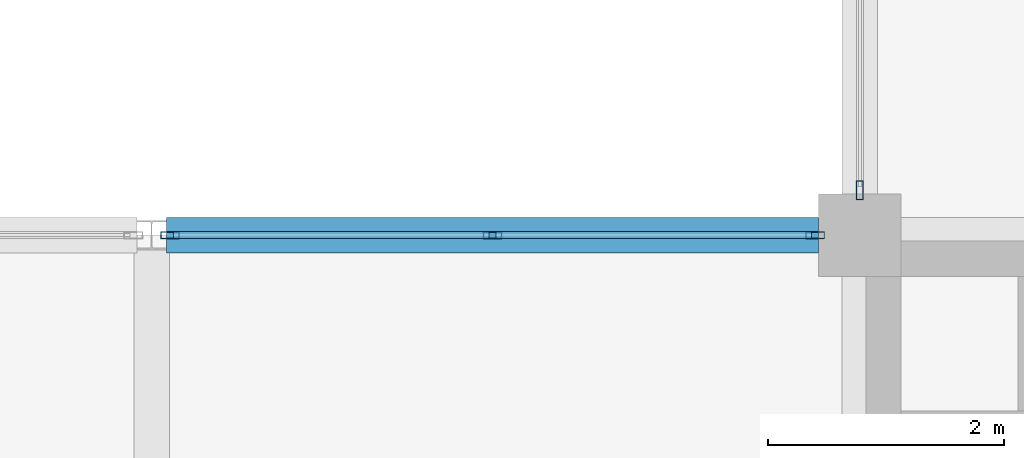
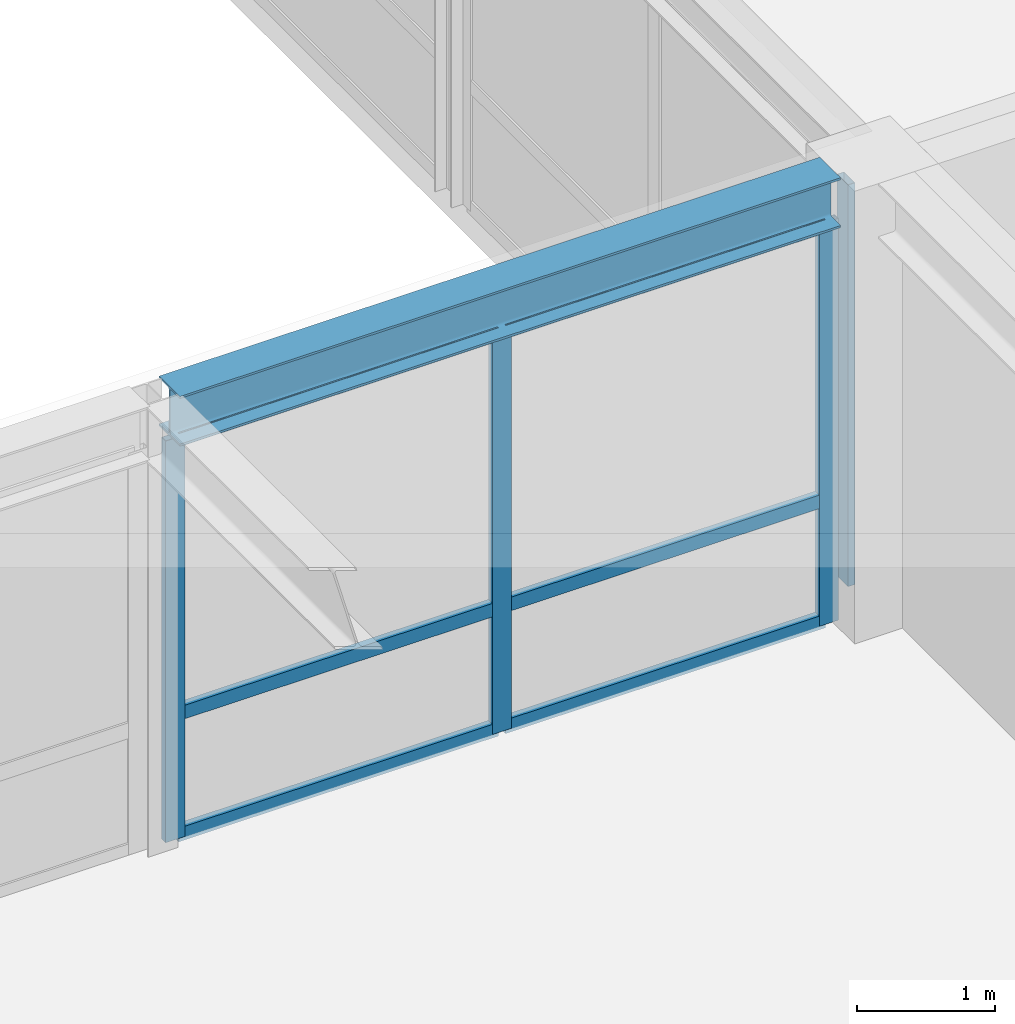
# One storey, part 85 of 111: 10 members, 1 beam, 2 elements without a shape of their own.
"""IFC4 building model written with IfcOpenShell, lengths in metres."""

import ifcopenshell
import ifcopenshell.guid

model = None  # the IFC model being written
_history = None  # IfcOwnerHistory: only IFC2X3 demands one
_inside = {}  # id of a spatial element -> (the spatial element, [elements in it])
_under = {}  # id of a project, library or spatial element -> (it, [spatial elements below it])
_declared = {}  # id of a project -> (the project, [libraries it declares])
_typed = {}  # id of a type object -> (the type object, [elements of that type])
_made_of = {}  # id of a material, layer set ... -> (it, [elements and type objects made of it])


def new_model(schema):
    """Start an empty IFC model of exactly this schema.

    Asked for "IFC4X3", IfcOpenShell would pick the latest addendum, in which some entities
    have other attributes; the version numbers below select the first issue.
    IFC2X3 requires an IfcOwnerHistory on every rooted entity: one is made here for all.
    """
    global model, _history
    if schema == "IFC4X3":
        model = ifcopenshell.file(schema_version=(4, 3, 0, 0))
    else:
        model = ifcopenshell.file(schema=schema)
    _inside.clear()
    _under.clear()
    _declared.clear()
    _typed.clear()
    _made_of.clear()
    _history = None
    if model.schema == "IFC2X3":
        org = make("IfcOrganization", Name="unknown")
        user = make(
            "IfcPersonAndOrganization",
            ThePerson=make("IfcPerson", FamilyName="unknown"),
            TheOrganization=org,
        )
        app = make(
            "IfcApplication",
            ApplicationDeveloper=org,
            Version="unknown",
            ApplicationFullName="unknown",
            ApplicationIdentifier="unknown",
        )
        _history = make(
            "IfcOwnerHistory",
            OwningUser=user,
            OwningApplication=app,
            ChangeAction="ADDED",
            CreationDate=0,
        )
    return model


def make(cls, **values):
    """One entity of the class cls with the attributes given. An attribute that is None is left unset."""
    return model.create_entity(
        cls, **{name: value for name, value in values.items() if value is not None}
    )


def rooted(cls, **values):
    """An entity with a GlobalId (a new one), such as an element, a storey or a relation."""
    return make(cls, GlobalId=ifcopenshell.guid.new(), OwnerHistory=_history, **values)


def si_unit(unit_type, name, prefix=None):
    """IfcSIUnit, for example si_unit("LENGTHUNIT", "METRE", prefix="MILLI")."""
    return make("IfcSIUnit", UnitType=unit_type, Prefix=prefix, Name=name)


def assignment(units):
    """IfcUnitAssignment: the units of a project."""
    return None if units is None else make("IfcUnitAssignment", Units=units)


def point(xyz):
    """IfcCartesianPoint."""
    return None if xyz is None else make("IfcCartesianPoint", Coordinates=xyz)


def direction(xyz):
    """IfcDirection."""
    return None if xyz is None else make("IfcDirection", DirectionRatios=xyz)


def frame(location, z_axis=None, x_axis=None):
    """IfcAxis2Placement3D, a coordinate frame: its origin and axes. An axis left out is left unset."""
    return make(
        "IfcAxis2Placement3D",
        Location=point(location),
        Axis=direction(z_axis),
        RefDirection=direction(x_axis),
    )


def frame_2d(location, x_axis=None):
    """IfcAxis2Placement2D, a coordinate frame in the plane: its origin and x axis."""
    return make(
        "IfcAxis2Placement2D", Location=point(location), RefDirection=direction(x_axis)
    )


def origin():
    """The frame at (0, 0, 0) with its axes left unset."""
    return frame((0.0, 0.0, 0.0))


def origin_2d():
    """The frame at (0, 0) in the plane with its x axis left unset."""
    return frame_2d((0.0, 0.0))


def place(relative_to, where):
    """IfcLocalPlacement: puts the frame where relative to a parent placement (None: the world)."""
    return make(
        "IfcLocalPlacement", PlacementRelTo=relative_to, RelativePlacement=where
    )


def context(
    kind, dimensions, precision=None, world=None, true_north=None, identifier=None
):
    """IfcGeometricRepresentationContext, for example the 3D "Model" context."""
    return make(
        "IfcGeometricRepresentationContext",
        ContextIdentifier=identifier,
        ContextType=kind,
        CoordinateSpaceDimension=dimensions,
        Precision=precision,
        WorldCoordinateSystem=world,
        TrueNorth=true_north,
    )


def subcontext(parent, identifier, kind, view, scale=None):
    """IfcGeometricRepresentationSubContext, for example "Body" below "Model"."""
    return make(
        "IfcGeometricRepresentationSubContext",
        ContextIdentifier=identifier,
        ContextType=kind,
        ParentContext=parent,
        TargetScale=scale,
        TargetView=view,
    )


def project(units=None, contexts=None):
    """IfcProject with its units and contexts."""
    return rooted(
        "IfcProject",
        Name="project",
        RepresentationContexts=contexts,
        UnitsInContext=assignment(units),
    )


def spatial(cls, under=None, at=None, **own):
    """A site, building, storey or space (cls), placed at a placement, below another one or the project."""
    s = rooted(cls, ObjectPlacement=at, **own)
    if under is not None:
        _under.setdefault(under.id(), (under, []))[1].append(s)
    return s


def profile(cls, at=None, kind="AREA", **sizes):
    """A parametric profile (cls). Its sizes go by their IFC names, for example OverallWidth=200.0."""
    return make(cls, ProfileType=kind, Position=at, **sizes)


def hollow_rectangle(**sizes):
    """IfcRectangleHollowProfileDef."""
    return profile("IfcRectangleHollowProfileDef", **sizes)


def i_section(**sizes):
    """IfcIShapeProfileDef."""
    return profile("IfcIShapeProfileDef", **sizes)


def extrude(swept, where, along, depth):
    """IfcExtrudedAreaSolid: the profile swept, set in the frame where, extruded along a direction by depth."""
    return make(
        "IfcExtrudedAreaSolid",
        SweptArea=swept,
        Position=where,
        ExtrudedDirection=direction(along),
        Depth=depth,
    )


def shape(context_of_items, identifier, shape_type, items):
    """IfcShapeRepresentation: the items that make up one representation, for example the "Body"."""
    return make(
        "IfcShapeRepresentation",
        ContextOfItems=context_of_items,
        RepresentationIdentifier=identifier,
        RepresentationType=shape_type,
        Items=items,
    )


def material(Name=None, Category=None):
    """IfcMaterial."""
    return make("IfcMaterial", Name=Name, Category=Category)


def layer(
    of_material, thickness, ventilated=None, Name=None, Category=None, Priority=None
):
    """IfcMaterialLayer: one layer of a wall or slab, of a material (None: an air gap)."""
    return make(
        "IfcMaterialLayer",
        Material=of_material,
        LayerThickness=thickness,
        IsVentilated=ventilated,
        Name=Name,
        Category=Category,
        Priority=Priority,
    )


def layer_set(layers, Name=None):
    """IfcMaterialLayerSet."""
    return make("IfcMaterialLayerSet", MaterialLayers=layers, LayerSetName=Name)


def material_profile(
    of_material, cross_section, Name=None, Category=None, Priority=None
):
    """IfcMaterialProfile: a cross section and its material."""
    return make(
        "IfcMaterialProfile",
        Name=Name,
        Material=of_material,
        Profile=cross_section,
        Priority=Priority,
        Category=Category,
    )


def profile_set(profiles, Name=None, composite=None):
    """IfcMaterialProfileSet."""
    return make(
        "IfcMaterialProfileSet",
        Name=Name,
        MaterialProfiles=profiles,
        CompositeProfile=composite,
    )


def made_of(thing, what):
    """Note that an element or type object is made of a material, layer set ...; save() writes the relation."""
    if what is not None:
        _made_of.setdefault(what.id(), (what, []))[1].append(thing)
    return thing


def type_object(cls, material=None, **own):
    """A type object (cls), such as IfcWallType, which elements share."""
    return made_of(rooted(cls, **own), material)


def element(
    cls,
    number,
    at=None,
    inside=None,
    cuts=None,
    type_object=None,
    material=None,
    context=None,
    identifier="Body",
    shape_type=None,
    held_by="IfcProductDefinitionShape",
    body=None,
    shapes=None,
    **own,
):
    """One element of the class cls, such as IfcWall. Its Tag is "e" and its number.

    at: its placement. inside: the storey or other place that contains it. cuts: it is an
    opening in that element (IfcRelVoidsElement). A single representation is given by context,
    identifier, shape_type and body (its items); several are given by shapes. held_by: the class
    of the entity that holds the representations. save() writes the other relations.
    """
    e = rooted(cls, Tag="e%d" % number, ObjectPlacement=at, **own)
    if body is not None:
        shapes = [shape(context, identifier, shape_type, body)]
    if shapes is not None:
        e.Representation = make(held_by, Representations=shapes)
    if inside is not None:
        _inside.setdefault(inside.id(), (inside, []))[1].append(e)
    if cuts is not None:
        rooted(
            "IfcRelVoidsElement", RelatingBuildingElement=cuts, RelatedOpeningElement=e
        )
    if type_object is not None:
        _typed.setdefault(type_object.id(), (type_object, []))[1].append(e)
    return made_of(e, material)


def aggregate(whole, parts):
    """IfcRelAggregates: a whole, such as a stair, and the parts it consists of."""
    return rooted("IfcRelAggregates", RelatingObject=whole, RelatedObjects=parts)


def save(model, path):
    """Write the relations noted so far, then the file.

    IfcRelAggregates (storeys below a building ...), IfcRelContainedInSpatialStructure (elements
    in a storey), IfcRelDefinesByType, IfcRelAssociatesMaterial and IfcRelDeclares: one each for
    every whole, place, type object, material and project.
    """
    for whole, parts in _under.values():
        aggregate(whole, parts)
    for where, things in _inside.values():
        rooted(
            "IfcRelContainedInSpatialStructure",
            RelatedElements=things,
            RelatingStructure=where,
        )
    for kind, things in _typed.values():
        rooted("IfcRelDefinesByType", RelatedObjects=things, RelatingType=kind)
    for what, things in _made_of.values():
        rooted("IfcRelAssociatesMaterial", RelatedObjects=things, RelatingMaterial=what)
    for by, libraries in _declared.values():
        rooted("IfcRelDeclares", RelatingContext=by, RelatedDefinitions=libraries)
    model.write(path)


model = new_model("IFC4")

# Units and contexts
model_context = context("Model", 3, precision=1e-05, world=origin(), true_north=direction((0.0, 1.0)))
body_context = subcontext(model_context, "Body", "Model", "MODEL_VIEW")
ifc_project = project(units=[si_unit("LENGTHUNIT", "METRE"), si_unit("AREAUNIT", "SQUARE_METRE"), si_unit("VOLUMEUNIT", "CUBIC_METRE"), si_unit("PLANEANGLEUNIT", "RADIAN"), si_unit("MASSUNIT", "GRAM", prefix="KILO")], contexts=[model_context])

# Site, building, storey
site_placement = place(None, origin())
site = spatial("IfcSite", under=ifc_project, at=site_placement, CompositionType="ELEMENT")
building_placement = place(site_placement, origin())
building = spatial("IfcBuilding", under=site, at=building_placement, Name="Zlatovratsky Civic Hall", CompositionType="ELEMENT")
storey_placement = place(building_placement, frame((0.0, 0.0, 16.5)))
storey = spatial("IfcBuildingStorey", under=building, at=storey_placement, Name="L04", CompositionType="ELEMENT", Elevation=16.5)

# Beam
ifc_material_1 = material(Name="Steel S355", Category="steel")
ifc_material_profile_1 = material_profile(ifc_material_1, i_section(OverallWidth=0.300048828125, OverallDepth=0.43994140625, WebThickness=0.010986328125, FlangeThickness=0.01806640625, FilletRadius=0.02197265625, at=origin_2d()), Name="45Sh1")
ifc_profile_set_1 = profile_set([ifc_material_profile_1], Name="Steel S355")
beam_type = type_object("IfcBeamType", Name="Beam_TowerLow_45Sh1", PredefinedType="BEAM", material=ifc_profile_set_1)
beam_placement = place(storey_placement, frame((144.125, 30.0, 3.780029296875), z_axis=(1.0, 0.0, 0.0), x_axis=(0.0, 1.0, 0.0)))
element("IfcBeam", 1, at=beam_placement, inside=storey, type_object=beam_type, Name="BM-3271", PredefinedType="BEAM", context=body_context, shape_type="SweptSolid", body=[
    extrude(i_section(OverallWidth=0.300048828125, OverallDepth=0.43994140625, WebThickness=0.010986328125, FlangeThickness=0.01806640625, FilletRadius=0.02197265625, at=origin_2d()), origin(), (0.0, 0.0, 1.0), 5.52490234375),
])

# Curtain wall, members
ifc_material_2 = material(Name="Anodised bronze aluminium", Category="aluminium")
ifc_layer_1 = layer(ifc_material_2, 0.159912109375)
ifc_layer_set_1 = layer_set([ifc_layer_1], Name="Anodised bronze aluminium")
curtain_wall_type_1 = type_object("IfcCurtainWallType", Name="CurtainWall_Bronze_5530x3550_19", PredefinedType="NOTDEFINED", material=ifc_layer_set_1)
curtain_wall_1_placement = place(storey_placement, origin())
curtain_wall_1 = element("IfcCurtainWall", 2, at=curtain_wall_1_placement, inside=storey, type_object=curtain_wall_type_1, Name="CW-113", PredefinedType="NOTDEFINED")
ifc_material_profile_2 = material_profile(ifc_material_2, hollow_rectangle(XDim=0.06005859375, YDim=0.159912109375, WallThickness=0.00390625, at=origin_2d()), Name="ALU 60x160x4")
ifc_profile_set_2 = profile_set([ifc_material_profile_2], Name="Anodised bronze aluminium")
member_type_1 = type_object("IfcMemberType", Name="CW_Mullion_60x160", PredefinedType="MULLION", material=ifc_profile_set_2)
member_1_placement = place(storey_placement, frame((144.155029296875, 30.0, 0.0), z_axis=(0.0, 0.0, 1.0), x_axis=(0.0, 1.0, 0.0)))
member_1 = element("IfcMember", 3, at=member_1_placement, type_object=member_type_1, Name="CW-19 mullion 1", PredefinedType="MULLION", context=body_context, shape_type="SweptSolid", body=[
    extrude(hollow_rectangle(XDim=0.06005859375, YDim=0.159912109375, WallThickness=0.00390625, at=origin_2d()), origin(), (0.0, 0.0, 1.0), 3.550048828125),
])
member_2_placement = place(storey_placement, frame((146.887451171875, 30.0, 0.0), z_axis=(0.0, 0.0, 1.0), x_axis=(0.0, 1.0, 0.0)))
member_2 = element("IfcMember", 4, at=member_2_placement, type_object=member_type_1, Name="CW-19 mullion 2", PredefinedType="MULLION", context=body_context, shape_type="SweptSolid", body=[
    extrude(hollow_rectangle(XDim=0.06005859375, YDim=0.159912109375, WallThickness=0.00390625, at=origin_2d()), origin(), (0.0, 0.0, 1.0), 3.550048828125),
])
member_3_placement = place(storey_placement, frame((149.6201171875, 30.0, 0.0), z_axis=(0.0, 0.0, 1.0), x_axis=(0.0, 1.0, 0.0)))
member_3 = element("IfcMember", 5, at=member_3_placement, type_object=member_type_1, Name="CW-19 mullion 3", PredefinedType="MULLION", context=body_context, shape_type="SweptSolid", body=[
    extrude(hollow_rectangle(XDim=0.06005859375, YDim=0.159912109375, WallThickness=0.00390625, at=origin_2d()), origin(), (0.0, 0.0, 1.0), 3.550048828125),
])

# Curtain wall, member
ifc_layer_2 = layer(ifc_material_2, 0.159912109375)
ifc_layer_set_2 = layer_set([ifc_layer_2], Name="Anodised bronze aluminium")
curtain_wall_type_2 = type_object("IfcCurtainWallType", Name="CurtainWall_Bronze_5520x3550_16", PredefinedType="NOTDEFINED", material=ifc_layer_set_2)
curtain_wall_2_placement = place(storey_placement, origin())
curtain_wall_2 = element("IfcCurtainWall", 6, at=curtain_wall_2_placement, inside=storey, type_object=curtain_wall_type_2, Name="CW-123", PredefinedType="NOTDEFINED")
member_4_placement = place(storey_placement, frame((150.0, 30.3798828125, 0.0), z_axis=(0.0, 0.0, 1.0), x_axis=(-1.0, 0.0, 0.0)))
member_4 = element("IfcMember", 7, at=member_4_placement, type_object=member_type_1, Name="CW-16 mullion 1", PredefinedType="MULLION", context=body_context, shape_type="SweptSolid", body=[
    extrude(hollow_rectangle(XDim=0.06005859375, YDim=0.159912109375, WallThickness=0.00390625, at=origin_2d()), origin(), (0.0, 0.0, 1.0), 3.550048828125),
])
aggregate(curtain_wall_2, [member_4])

# Member
ifc_material_profile_3 = material_profile(ifc_material_2, hollow_rectangle(XDim=0.06005859375, YDim=0.1201171875, WallThickness=0.00390625, at=origin_2d()), Name="ALU 60x120x4")
ifc_profile_set_3 = profile_set([ifc_material_profile_3], Name="Anodised bronze aluminium")
member_type_2 = type_object("IfcMemberType", Name="CW_Transom_60x120", PredefinedType="USERDEFINED", material=ifc_profile_set_3)
member_5_placement = place(storey_placement, frame((144.18505859375, 30.0, 0.030029296875), z_axis=(1.0, 0.0, 0.0), x_axis=(0.0, 1.0, 0.0)))
member_5 = element("IfcMember", 8, at=member_5_placement, type_object=member_type_2, Name="CW-19 transom 1.1", ObjectType="TRANSOM", PredefinedType="USERDEFINED", context=body_context, shape_type="SweptSolid", body=[
    extrude(hollow_rectangle(XDim=0.06005859375, YDim=0.1201171875, WallThickness=0.00390625, at=origin_2d()), origin(), (0.0, 0.0, 1.0), 2.67236328125),
])

member_6_placement = place(storey_placement, frame((144.18505859375, 30.0, 1.10009765625), z_axis=(1.0, 0.0, 0.0), x_axis=(0.0, 1.0, 0.0)))
member_6 = element("IfcMember", 9, at=member_6_placement, type_object=member_type_2, Name="CW-19 transom 1.2", ObjectType="TRANSOM", PredefinedType="USERDEFINED", context=body_context, shape_type="SweptSolid", body=[
    extrude(hollow_rectangle(XDim=0.06005859375, YDim=0.1201171875, WallThickness=0.00390625, at=origin_2d()), origin(), (0.0, 0.0, 1.0), 2.67236328125),
])

member_7_placement = place(storey_placement, frame((144.18505859375, 30.0, 3.52001953125), z_axis=(1.0, 0.0, 0.0), x_axis=(0.0, 1.0, 0.0)))
member_7 = element("IfcMember", 10, at=member_7_placement, type_object=member_type_2, Name="CW-19 transom 1.3", ObjectType="TRANSOM", PredefinedType="USERDEFINED", context=body_context, shape_type="SweptSolid", body=[
    extrude(hollow_rectangle(XDim=0.06005859375, YDim=0.1201171875, WallThickness=0.00390625, at=origin_2d()), origin(), (0.0, 0.0, 1.0), 2.67236328125),
])

member_8_placement = place(storey_placement, frame((146.91748046875, 30.0, 0.030029296875), z_axis=(1.0, 0.0, 0.0), x_axis=(0.0, 1.0, 0.0)))
member_8 = element("IfcMember", 11, at=member_8_placement, type_object=member_type_2, Name="CW-19 transom 2.1", ObjectType="TRANSOM", PredefinedType="USERDEFINED", context=body_context, shape_type="SweptSolid", body=[
    extrude(hollow_rectangle(XDim=0.06005859375, YDim=0.1201171875, WallThickness=0.00390625, at=origin_2d()), origin(), (0.0, 0.0, 1.0), 2.672607421875),
])

member_9_placement = place(storey_placement, frame((146.91748046875, 30.0, 1.10009765625), z_axis=(1.0, 0.0, 0.0), x_axis=(0.0, 1.0, 0.0)))
member_9 = element("IfcMember", 12, at=member_9_placement, type_object=member_type_2, Name="CW-19 transom 2.2", ObjectType="TRANSOM", PredefinedType="USERDEFINED", context=body_context, shape_type="SweptSolid", body=[
    extrude(hollow_rectangle(XDim=0.06005859375, YDim=0.1201171875, WallThickness=0.00390625, at=origin_2d()), origin(), (0.0, 0.0, 1.0), 2.672607421875),
])

member_10_placement = place(storey_placement, frame((146.91748046875, 30.0, 3.52001953125), z_axis=(1.0, 0.0, 0.0), x_axis=(0.0, 1.0, 0.0)))
member_10 = element("IfcMember", 13, at=member_10_placement, type_object=member_type_2, Name="CW-19 transom 2.3", ObjectType="TRANSOM", PredefinedType="USERDEFINED", context=body_context, shape_type="SweptSolid", body=[
    extrude(hollow_rectangle(XDim=0.06005859375, YDim=0.1201171875, WallThickness=0.00390625, at=origin_2d()), origin(), (0.0, 0.0, 1.0), 2.672607421875),
])

aggregate(curtain_wall_1, [member_1, member_2, member_3, member_5, member_6, member_7, member_8, member_9, member_10])

save(model, "model.ifc")
